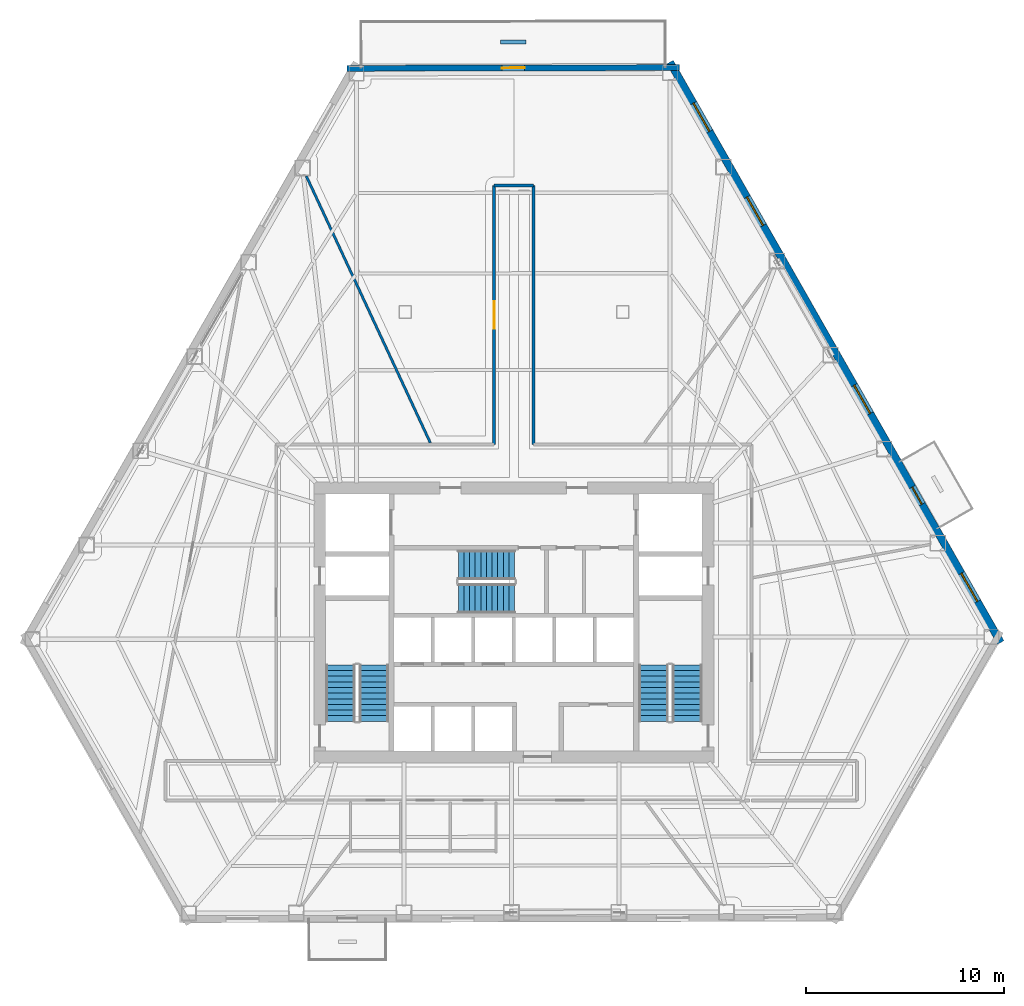
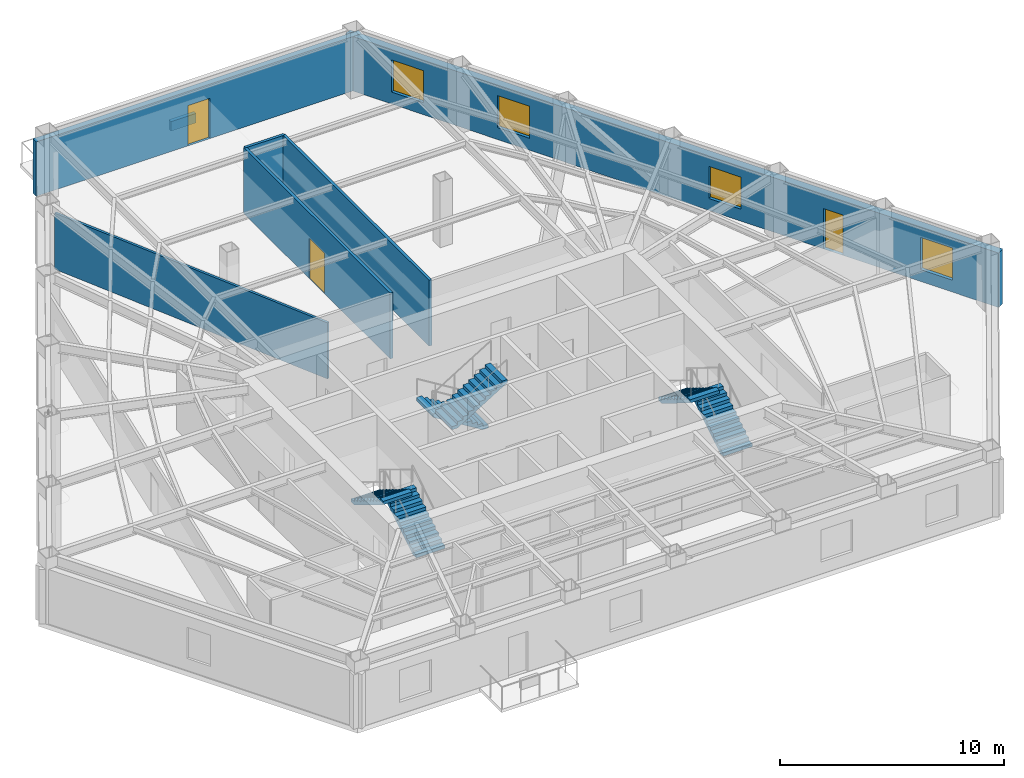
# One storey, part 10 of 14: 7 walls, 6 stair flights, 4 windows, 3 doors, 7 openings, 3 elements without a shape of their own.
"""IFC4 building model written with IfcOpenShell, lengths in metres."""

from ifc_helpers import new_model, si_unit, direction, frame, frame_2d, origin, place, context, subcontext, project, spatial, polyline, rectangle, outline, extrude, material, layer, layer_set, type_object, element, fill, aggregate, save


model = new_model("IFC4")

# Units and contexts
model_context = context("Model", 3, precision=1e-05, world=origin(), true_north=direction((0.0, 1.0)))
body_context = subcontext(model_context, "Body", "Model", "MODEL_VIEW")
ifc_project = project(units=[si_unit("LENGTHUNIT", "METRE"), si_unit("AREAUNIT", "SQUARE_METRE"), si_unit("VOLUMEUNIT", "CUBIC_METRE"), si_unit("PLANEANGLEUNIT", "RADIAN"), si_unit("MASSUNIT", "GRAM", prefix="KILO")], contexts=[model_context])

# Site, building, storey
site_placement = place(None, origin())
site = spatial("IfcSite", under=ifc_project, at=site_placement, CompositionType="ELEMENT")
building_placement = place(site_placement, origin())
building = spatial("IfcBuilding", under=site, at=building_placement, Name="Kavelnor Concourse Tower", CompositionType="ELEMENT")
storey_placement = place(building_placement, frame((0.0, 0.0, 17.550048828125)))
storey = spatial("IfcBuildingStorey", under=building, at=storey_placement, Name="L04", CompositionType="ELEMENT", Elevation=17.550048828125)

# Wall, opening, door
ifc_material_1 = material(Name="Buff ironspot clay face brick masonry", Category="masonry")
ifc_layer_1 = layer(ifc_material_1, 0.300048828125, Name="Buff ironspot clay face brick masonry")
ifc_layer_set_1 = layer_set([ifc_layer_1], Name="Buff ironspot clay face brick masonry")
wall_type_1 = type_object("IfcWallType", Name="WL-EXT-BUFF-BRICK-FOLD-300", PredefinedType="STANDARD", material=ifc_layer_set_1)
wall_1_placement = place(storey_placement, frame((29.563720703125, 44.12451171875, 0.0), z_axis=(0.0, 0.0, 1.0), x_axis=(0.999997659038, 0.002163774142, 0.0)))
wall_1 = element("IfcWall", 1, at=wall_1_placement, inside=storey, type_object=wall_type_1, Name="L04 Exterior Brick Facade Wall E0", PredefinedType="STANDARD", context=body_context, shape_type="SweptSolid", body=[
    extrude(rectangle(XDim=16.811767578125, YDim=0.300048828125, at=frame_2d((8.40576171875, 0.0))), origin(), (0.0, 0.0, 1.0), 2.969970703125),
])
opening_1_placement = place(wall_1_placement, frame((7.830810546875, 0.0, 0.0)))
opening_1 = element("IfcOpeningElement", 2, at=opening_1_placement, cuts=wall_1, Name="Opening TD-115", PredefinedType="OPENING", context=body_context, shape_type="SweptSolid", body=[
    extrude(rectangle(XDim=1.14990234375, YDim=2.199951171875, at=frame_2d((0.574951171875, 1.10009765625))), frame((0.0, 0.16015625, 0.0), z_axis=(0.0, -1.0, 0.0), x_axis=(1.0, 0.0, 0.0)), (0.0, 0.0, 1.0), 0.320068359375),
])
ifc_material_2 = material(Name="Anodised aluminium 6063-T6", Category="aluminium")
door_type_1 = type_object("IfcDoorType", Name="DR-TERRACE-EXT-1150", OperationType="NOTDEFINED", PredefinedType="DOOR", material=ifc_material_2)
door_1_placement = place(opening_1_placement, origin())
door_1 = element("IfcDoor", 3, at=door_1_placement, inside=storey, type_object=door_type_1, Name="L04 Spiral Sky Terrace Access Door", OperationType="SINGLE_SWING_LEFT", OverallHeight=2.199951171875, OverallWidth=1.14990234375, PredefinedType="DOOR", context=body_context, shape_type="SweptSolid", body=[
    extrude(rectangle(XDim=1.14990234375, YDim=2.199951171875, at=frame_2d((0.574951171875, 1.10009765625))), frame((0.0, 0.02490234375, 0.0), z_axis=(0.0, -1.0, 0.0), x_axis=(1.0, 0.0, 0.0)), (0.0, 0.0, 1.0), 0.050048828125),
])
fill(opening_1, door_1)

# Wall, openings, door, windows
ifc_material_3 = material(Name="Red-ochre clay face brick masonry", Category="masonry")
ifc_layer_2 = layer(ifc_material_3, 0.3798828125, Name="Red-ochre clay face brick masonry")
ifc_layer_set_2 = layer_set([ifc_layer_2], Name="Red-ochre clay face brick masonry")
wall_type_2 = type_object("IfcWallType", Name="WL-EXT-RED-BRICK-PIER-380", PredefinedType="STANDARD", material=ifc_layer_set_2)
wall_2_placement = place(storey_placement, frame((45.8935546875, 44.440185546875, 0.0), z_axis=(0.0, 0.0, 1.0), x_axis=(0.495144258579, -0.868810775253, 0.0)))
wall_2 = element("IfcWall", 4, at=wall_2_placement, inside=storey, type_object=wall_type_2, Name="L04 Exterior Brick Facade Wall E5", PredefinedType="STANDARD", context=body_context, shape_type="SweptSolid", body=[
    extrude(rectangle(XDim=33.7919921875, YDim=0.3798828125, at=frame_2d((16.89599609375, 0.0))), origin(), (0.0, 0.0, 1.0), 2.969970703125),
])
opening_2_placement = place(wall_2_placement, frame((24.744140625, 0.0, 0.0)))
opening_2 = element("IfcOpeningElement", 5, at=opening_2_placement, cuts=wall_2, Name="Opening BD-100", PredefinedType="OPENING", context=body_context, shape_type="SweptSolid", body=[
    extrude(rectangle(XDim=1.0, YDim=2.199951171875, at=frame_2d((0.5, 1.10009765625))), frame((0.0, 0.199951171875, 0.0), z_axis=(0.0, -1.0, 0.0), x_axis=(1.0, 0.0, 0.0)), (0.0, 0.0, 1.0), 0.39990234375),
])
opening_3_placement = place(wall_2_placement, frame((29.75634765625, 0.0, 0.64990234375)))
opening_3 = element("IfcOpeningElement", 6, at=opening_3_placement, cuts=wall_2, Name="Opening W-01", PredefinedType="OPENING", context=body_context, shape_type="SweptSolid", body=[
    extrude(rectangle(XDim=1.64990234375, YDim=1.75, at=frame_2d((0.824951171875, 0.875))), frame((0.0, 0.199951171875, 0.0), z_axis=(0.0, -1.0, 0.0), x_axis=(1.0, 0.0, 0.0)), (0.0, 0.0, 1.0), 0.39990234375),
])
opening_4_placement = place(wall_2_placement, frame((18.810302734375, 0.0, 0.64990234375)))
opening_4 = element("IfcOpeningElement", 7, at=opening_4_placement, cuts=wall_2, Name="Opening W-01", PredefinedType="OPENING", context=body_context, shape_type="SweptSolid", body=[
    extrude(rectangle(XDim=1.64990234375, YDim=1.75, at=frame_2d((0.824951171875, 0.875))), frame((0.0, 0.199951171875, 0.0), z_axis=(0.0, -1.0, 0.0), x_axis=(1.0, 0.0, 0.0)), (0.0, 0.0, 1.0), 0.39990234375),
])
opening_5_placement = place(wall_2_placement, frame((7.8642578125, 0.0, 0.64990234375)))
opening_5 = element("IfcOpeningElement", 8, at=opening_5_placement, cuts=wall_2, Name="Opening W-01", PredefinedType="OPENING", context=body_context, shape_type="SweptSolid", body=[
    extrude(rectangle(XDim=1.64990234375, YDim=1.75, at=frame_2d((0.824951171875, 0.875))), frame((0.0, 0.199951171875, 0.0), z_axis=(0.0, -1.0, 0.0), x_axis=(1.0, 0.0, 0.0)), (0.0, 0.0, 1.0), 0.39990234375),
])
opening_6_placement = place(wall_2_placement, frame((2.39111328125, 0.0, 0.64990234375)))
opening_6 = element("IfcOpeningElement", 9, at=opening_6_placement, cuts=wall_2, Name="Opening W-01", PredefinedType="OPENING", context=body_context, shape_type="SweptSolid", body=[
    extrude(rectangle(XDim=1.64990234375, YDim=1.75, at=frame_2d((0.824951171875, 0.875))), frame((0.0, 0.199951171875, 0.0), z_axis=(0.0, -1.0, 0.0), x_axis=(1.0, 0.0, 0.0)), (0.0, 0.0, 1.0), 0.39990234375),
])
door_type_2 = type_object("IfcDoorType", Name="DR-BALCONY-EXT-1000", OperationType="NOTDEFINED", PredefinedType="DOOR", material=ifc_material_2)
door_2_placement = place(opening_2_placement, origin())
door_2 = element("IfcDoor", 10, at=door_2_placement, inside=storey, type_object=door_type_2, Name="L04 Tree Balcony 2 Glazed Door", OperationType="SINGLE_SWING_RIGHT", OverallHeight=2.199951171875, OverallWidth=1.0, PredefinedType="DOOR", context=body_context, shape_type="SweptSolid", body=[
    extrude(rectangle(XDim=1.0, YDim=2.199951171875, at=frame_2d((0.5, 1.10009765625))), frame((0.0, 0.02490234375, 0.0), z_axis=(0.0, -1.0, 0.0), x_axis=(1.0, 0.0, 0.0)), (0.0, 0.0, 1.0), 0.050048828125),
])
fill(opening_2, door_2)
ifc_material_4 = material(Name="Double low-E argon insulated glazing", Category="glass")
window_type = type_object("IfcWindowType", Name="WIN-PIER-Z1-1800", PartitioningType="SINGLE_PANEL", PredefinedType="WINDOW", material=ifc_material_4)
window_1_placement = place(opening_3_placement, origin())
window_1 = element("IfcWindow", 11, at=window_1_placement, inside=storey, type_object=window_type, Name="L04 Deep-Set Brick Pier Window F2-B0", OverallHeight=1.75, OverallWidth=1.64990234375, PartitioningType="SINGLE_PANEL", PredefinedType="WINDOW", context=body_context, shape_type="SweptSolid", body=[
    extrude(rectangle(XDim=1.64990234375, YDim=1.75, at=frame_2d((0.824951171875, 0.875))), frame((0.0, 0.030029296875, 0.0), z_axis=(0.0, -1.0, 0.0), x_axis=(1.0, 0.0, 0.0)), (0.0, 0.0, 1.0), 0.06005859375),
])
fill(opening_3, window_1)
window_2_placement = place(opening_4_placement, origin())
window_2 = element("IfcWindow", 12, at=window_2_placement, inside=storey, type_object=window_type, Name="L04 Deep-Set Brick Pier Window F2-B2", OverallHeight=1.75, OverallWidth=1.64990234375, PartitioningType="SINGLE_PANEL", PredefinedType="WINDOW", context=body_context, shape_type="SweptSolid", body=[
    extrude(rectangle(XDim=1.64990234375, YDim=1.75, at=frame_2d((0.824951171875, 0.875))), frame((0.0, 0.030029296875, 0.0), z_axis=(0.0, -1.0, 0.0), x_axis=(1.0, 0.0, 0.0)), (0.0, 0.0, 1.0), 0.06005859375),
])
fill(opening_4, window_2)
window_3_placement = place(opening_5_placement, origin())
window_3 = element("IfcWindow", 13, at=window_3_placement, inside=storey, type_object=window_type, Name="L04 Deep-Set Brick Pier Window F2-B4", OverallHeight=1.75, OverallWidth=1.64990234375, PartitioningType="SINGLE_PANEL", PredefinedType="WINDOW", context=body_context, shape_type="SweptSolid", body=[
    extrude(rectangle(XDim=1.64990234375, YDim=1.75, at=frame_2d((0.824951171875, 0.875))), frame((0.0, 0.030029296875, 0.0), z_axis=(0.0, -1.0, 0.0), x_axis=(1.0, 0.0, 0.0)), (0.0, 0.0, 1.0), 0.06005859375),
])
fill(opening_5, window_3)
window_4_placement = place(opening_6_placement, origin())
window_4 = element("IfcWindow", 14, at=window_4_placement, inside=storey, type_object=window_type, Name="L04 Deep-Set Brick Pier Window F2-B5", OverallHeight=1.75, OverallWidth=1.64990234375, PartitioningType="SINGLE_PANEL", PredefinedType="WINDOW", context=body_context, shape_type="SweptSolid", body=[
    extrude(rectangle(XDim=1.64990234375, YDim=1.75, at=frame_2d((0.824951171875, 0.875))), frame((0.0, 0.030029296875, 0.0), z_axis=(0.0, -1.0, 0.0), x_axis=(1.0, 0.0, 0.0)), (0.0, 0.0, 1.0), 0.06005859375),
])
fill(opening_6, window_4)

# Wall, opening, door
ifc_material_5 = material(Name="Gypsum plasterboard on light-gauge steel studs", Category="steel")
ifc_layer_3 = layer(ifc_material_5, 0.14501953125, Name="Gypsum plasterboard on light-gauge steel studs")
ifc_layer_set_3 = layer_set([ifc_layer_3], Name="Gypsum plasterboard on light-gauge steel studs")
wall_type_3 = type_object("IfcWallType", Name="WL-INT-CORR-145", PredefinedType="PARTITIONING", material=ifc_layer_set_3)
wall_3_placement = place(storey_placement, frame((37.0, 25.10009765625, 0.0), z_axis=(0.0, 0.0, 1.0), x_axis=(0.0, 1.0, 0.0)))
wall_3 = element("IfcWall", 15, at=wall_3_placement, inside=storey, type_object=wall_type_3, Name="L04 Corridor Wall WL-L04-CR-04", PredefinedType="PARTITIONING", context=body_context, shape_type="SweptSolid", body=[
    extrude(rectangle(XDim=13.099853515625, YDim=0.14501953125, at=frame_2d((6.5498046875, 0.0))), origin(), (0.0, 0.0, 1.0), 3.58984375),
])
opening_7_placement = place(wall_3_placement, frame((5.85009765625, 0.0, 0.0)))
opening_7 = element("IfcOpeningElement", 16, at=opening_7_placement, cuts=wall_3, Name="Opening SD-140", PredefinedType="OPENING", context=body_context, shape_type="SweptSolid", body=[
    extrude(rectangle(XDim=1.39990234375, YDim=2.199951171875, at=frame_2d((0.699951171875, 1.10009765625))), frame((0.0, 0.08251953125, 0.0), z_axis=(0.0, -1.0, 0.0), x_axis=(1.0, 0.0, 0.0)), (0.0, 0.0, 1.0), 0.1650390625),
])
ifc_material_6 = material(Name="Solid-core hardwood timber", Category="wood")
door_type_3 = type_object("IfcDoorType", Name="DR-SUITE-ENTRY-1400", OperationType="NOTDEFINED", PredefinedType="DOOR", material=ifc_material_6)
door_3_placement = place(opening_7_placement, origin())
door_3 = element("IfcDoor", 17, at=door_3_placement, inside=storey, type_object=door_type_3, Name="L04 Staff Breakout Pantry 02 Door", OperationType="SINGLE_SWING_LEFT", OverallHeight=2.199951171875, OverallWidth=1.39990234375, PredefinedType="DOOR", context=body_context, shape_type="SweptSolid", body=[
    extrude(rectangle(XDim=1.39990234375, YDim=2.199951171875, at=frame_2d((0.699951171875, 1.10009765625))), frame((0.0, 0.02490234375, 0.0), z_axis=(0.0, -1.0, 0.0), x_axis=(1.0, 0.0, 0.0)), (0.0, 0.0, 1.0), 0.050048828125),
])
fill(opening_7, door_3)

# Walls
wall_4_placement = place(storey_placement, frame((37.0, 38.199951171875, 0.0), z_axis=(0.0, 0.0, 1.0), x_axis=(1.0, 0.0, 0.0)))
element("IfcWall", 18, at=wall_4_placement, inside=storey, type_object=wall_type_3, Name="L04 Corridor Wall WL-L04-CR-05", PredefinedType="PARTITIONING", context=body_context, shape_type="SweptSolid", body=[
    extrude(rectangle(XDim=2.0, YDim=0.14501953125, at=frame_2d((1.0, 0.0))), origin(), (0.0, 0.0, 1.0), 3.58984375),
])
wall_5_placement = place(storey_placement, frame((39.0, 38.199951171875, 0.0), z_axis=(0.0, 0.0, 1.0), x_axis=(0.0, -1.0, 0.0)))
element("IfcWall", 19, at=wall_5_placement, inside=storey, type_object=wall_type_3, Name="L04 Corridor Wall WL-L04-CR-06", PredefinedType="PARTITIONING", context=body_context, shape_type="SweptSolid", body=[
    extrude(rectangle(XDim=13.099853515625, YDim=0.14501953125, at=frame_2d((6.5498046875, 0.0))), origin(), (0.0, 0.0, 1.0), 3.58984375),
])
ifc_layer_4 = layer(ifc_material_5, 0.125, Name="Gypsum plasterboard on light-gauge steel studs")
ifc_layer_set_4 = layer_set([ifc_layer_4], Name="Gypsum plasterboard on light-gauge steel studs")
wall_type_4 = type_object("IfcWallType", Name="WL-INT-SUITE-125", PredefinedType="PARTITIONING", material=ifc_layer_set_4)
wall_6_placement = place(storey_placement, frame((33.777587890625, 25.180419921875, 0.0), z_axis=(0.0, 0.0, 1.0), x_axis=(-0.421621006058, 0.906772147373, 0.0)))
element("IfcWall", 20, at=wall_6_placement, inside=storey, type_object=wall_type_4, Name="L04 Radial Suite Partition 03", PredefinedType="PARTITIONING", context=body_context, shape_type="SweptSolid", body=[
    extrude(rectangle(XDim=14.887451171875, YDim=0.125, at=frame_2d((7.44384765625, 0.0))), origin(), (0.0, 0.0, 1.0), 3.056884765625),
])
ifc_material_7 = material(Name="Architectural precast planter concrete C40/50", Category="concrete")
ifc_layer_5 = layer(ifc_material_7, 0.18994140625, Name="Architectural precast planter concrete C40/50")
ifc_layer_set_5 = layer_set([ifc_layer_5], Name="Architectural precast planter concrete C40/50")
wall_type_5 = type_object("IfcWallType", Name="WL-PLANTER-KERB-190", PredefinedType="USERDEFINED", material=ifc_layer_set_5)
wall_7_placement = place(storey_placement, frame((38.61669921875, 45.4541015625, 0.0), z_axis=(0.0, 0.0, 1.0), x_axis=(-0.999997460831, -0.002253515405, 0.0)))
element("IfcWall", 21, at=wall_7_placement, inside=storey, type_object=wall_type_5, Name="L04 Spiral Terrace Landscaped Planter Kerb", ObjectType="PLANTER", PredefinedType="USERDEFINED", context=body_context, shape_type="SweptSolid", body=[
    extrude(rectangle(XDim=1.300048828125, YDim=0.18994140625, at=frame_2d((0.64990234375, 0.0))), origin(), (0.0, 0.0, 1.0), 0.52001953125),
])

# Stair, stair flights
ifc_material_8 = material(Name="Concrete C40/50", Category="concrete")
stair_type = type_object("IfcStairType", Name="STR-CORE-1500", PredefinedType="HALF_TURN_STAIR", material=ifc_material_8)
stair_1_placement = place(storey_placement, origin())
stair_1 = element("IfcStair", 22, at=stair_1_placement, inside=storey, type_object=stair_type, Name="L04 ST1", PredefinedType="HALF_TURN_STAIR")
stair_flight_type = type_object("IfcStairFlightType", Name="STR-FLIGHT-1500", PredefinedType="STRAIGHT", material=ifc_material_8)
stair_flight_1_placement = place(storey_placement, frame((30.929931640625, 11.10009765625, 0.0), z_axis=(0.0, 0.0, 1.0), x_axis=(0.0, 1.0, 0.0)))
stair_flight_1 = element("IfcStairFlight", 23, at=stair_flight_1_placement, type_object=stair_flight_type, Name="ST1 flight 1", NumberOfRisers=11, NumberOfTreads=10, PredefinedType="STRAIGHT", RiserHeight=0.175, TreadLength=0.285, context=body_context, shape_type="SweptSolid", body=[
    extrude(outline(polyline([(0.0, 0.0), (0.0, 0.175048828125), (0.284912109375, 0.175048828125), (0.284912109375, 0.35009765625), (0.570068359375, 0.35009765625), (0.570068359375, 0.52490234375), (0.85498046875, 0.52490234375), (0.85498046875, 0.699951171875), (1.139892578125, 0.699951171875), (1.139892578125, 0.875), (1.425048828125, 0.875), (1.425048828125, 1.050048828125), (1.7099609375, 1.050048828125), (1.7099609375, 1.22509765625), (1.9951171875, 1.22509765625), (1.9951171875, 1.39990234375), (2.280029296875, 1.39990234375), (2.280029296875, 1.574951171875), (2.56494140625, 1.574951171875), (2.56494140625, 1.75), (2.85009765625, 1.75), (2.85009765625, 1.925048828125), (2.85009765625, 1.573974609375), (0.286376953125, 0.0), (0.0, 0.0)])), frame((0.0, 0.75, 0.0), z_axis=(0.0, -1.0, 0.0), x_axis=(1.0, 0.0, 0.0)), (0.0, 0.0, 1.0), 1.5),
])
stair_flight_2_placement = place(storey_placement, frame((29.22998046875, 13.949951171875, 1.925048828125), z_axis=(0.0, 0.0, 1.0), x_axis=(0.0, -1.0, 0.0)))
stair_flight_2 = element("IfcStairFlight", 24, at=stair_flight_2_placement, type_object=stair_flight_type, Name="ST1 flight 2", NumberOfRisers=11, NumberOfTreads=10, PredefinedType="STRAIGHT", RiserHeight=0.175, TreadLength=0.285, context=body_context, shape_type="SweptSolid", body=[
    extrude(outline(polyline([(0.0, 0.0), (0.0, 0.175048828125), (0.284912109375, 0.175048828125), (0.284912109375, 0.35009765625), (0.570068359375, 0.35009765625), (0.570068359375, 0.52490234375), (0.85498046875, 0.52490234375), (0.85498046875, 0.699951171875), (1.139892578125, 0.699951171875), (1.139892578125, 0.875), (1.425048828125, 0.875), (1.425048828125, 1.050048828125), (1.7099609375, 1.050048828125), (1.7099609375, 1.22509765625), (1.9951171875, 1.22509765625), (1.9951171875, 1.39990234375), (2.280029296875, 1.39990234375), (2.280029296875, 1.574951171875), (2.56494140625, 1.574951171875), (2.56494140625, 1.75), (2.85009765625, 1.75), (2.85009765625, 1.925048828125), (2.85009765625, 1.573974609375), (0.286376953125, 0.0), (0.0, 0.0)])), frame((0.0, 0.75, 0.0), z_axis=(0.0, -1.0, 0.0), x_axis=(1.0, 0.0, 0.0)), (0.0, 0.0, 1.0), 1.5),
])
aggregate(stair_1, [stair_flight_1, stair_flight_2])

stair_2_placement = place(storey_placement, origin())
stair_2 = element("IfcStair", 25, at=stair_2_placement, inside=storey, type_object=stair_type, Name="L04 ST2", PredefinedType="HALF_TURN_STAIR")
stair_flight_3_placement = place(storey_placement, frame((46.77001953125, 11.10009765625, 0.0), z_axis=(0.0, 0.0, 1.0), x_axis=(0.0, 1.0, 0.0)))
stair_flight_3 = element("IfcStairFlight", 26, at=stair_flight_3_placement, type_object=stair_flight_type, Name="ST2 flight 1", NumberOfRisers=11, NumberOfTreads=10, PredefinedType="STRAIGHT", RiserHeight=0.175, TreadLength=0.285, context=body_context, shape_type="SweptSolid", body=[
    extrude(outline(polyline([(0.0, 0.0), (0.0, 0.175048828125), (0.284912109375, 0.175048828125), (0.284912109375, 0.35009765625), (0.570068359375, 0.35009765625), (0.570068359375, 0.52490234375), (0.85498046875, 0.52490234375), (0.85498046875, 0.699951171875), (1.139892578125, 0.699951171875), (1.139892578125, 0.875), (1.425048828125, 0.875), (1.425048828125, 1.050048828125), (1.7099609375, 1.050048828125), (1.7099609375, 1.22509765625), (1.9951171875, 1.22509765625), (1.9951171875, 1.39990234375), (2.280029296875, 1.39990234375), (2.280029296875, 1.574951171875), (2.56494140625, 1.574951171875), (2.56494140625, 1.75), (2.85009765625, 1.75), (2.85009765625, 1.925048828125), (2.85009765625, 1.573974609375), (0.286376953125, 0.0), (0.0, 0.0)])), frame((0.0, 0.75, 0.0), z_axis=(0.0, -1.0, 0.0), x_axis=(1.0, 0.0, 0.0)), (0.0, 0.0, 1.0), 1.5),
])
stair_flight_4_placement = place(storey_placement, frame((45.070068359375, 13.949951171875, 1.925048828125), z_axis=(0.0, 0.0, 1.0), x_axis=(0.0, -1.0, 0.0)))
stair_flight_4 = element("IfcStairFlight", 27, at=stair_flight_4_placement, type_object=stair_flight_type, Name="ST2 flight 2", NumberOfRisers=11, NumberOfTreads=10, PredefinedType="STRAIGHT", RiserHeight=0.175, TreadLength=0.285, context=body_context, shape_type="SweptSolid", body=[
    extrude(outline(polyline([(0.0, 0.0), (0.0, 0.175048828125), (0.284912109375, 0.175048828125), (0.284912109375, 0.35009765625), (0.570068359375, 0.35009765625), (0.570068359375, 0.52490234375), (0.85498046875, 0.52490234375), (0.85498046875, 0.699951171875), (1.139892578125, 0.699951171875), (1.139892578125, 0.875), (1.425048828125, 0.875), (1.425048828125, 1.050048828125), (1.7099609375, 1.050048828125), (1.7099609375, 1.22509765625), (1.9951171875, 1.22509765625), (1.9951171875, 1.39990234375), (2.280029296875, 1.39990234375), (2.280029296875, 1.574951171875), (2.56494140625, 1.574951171875), (2.56494140625, 1.75), (2.85009765625, 1.75), (2.85009765625, 1.925048828125), (2.85009765625, 1.573974609375), (0.286376953125, 0.0), (0.0, 0.0)])), frame((0.0, 0.75, 0.0), z_axis=(0.0, -1.0, 0.0), x_axis=(1.0, 0.0, 0.0)), (0.0, 0.0, 1.0), 1.5),
])
aggregate(stair_2, [stair_flight_3, stair_flight_4])

stair_3_placement = place(storey_placement, origin())
stair_3 = element("IfcStair", 28, at=stair_3_placement, inside=storey, type_object=stair_type, Name="L04 ST3", PredefinedType="HALF_TURN_STAIR")
stair_flight_5_placement = place(storey_placement, frame((38.0400390625, 19.010009765625, 0.0), z_axis=(0.0, 0.0, 1.0), x_axis=(-1.0, 0.0, 0.0)))
stair_flight_5 = element("IfcStairFlight", 29, at=stair_flight_5_placement, type_object=stair_flight_type, Name="ST3 flight 1", NumberOfRisers=11, NumberOfTreads=10, PredefinedType="STRAIGHT", RiserHeight=0.175, TreadLength=0.285, context=body_context, shape_type="SweptSolid", body=[
    extrude(outline(polyline([(0.0, 0.0), (0.0, 0.175048828125), (0.284912109375, 0.175048828125), (0.284912109375, 0.35009765625), (0.570068359375, 0.35009765625), (0.570068359375, 0.52490234375), (0.85498046875, 0.52490234375), (0.85498046875, 0.699951171875), (1.139892578125, 0.699951171875), (1.139892578125, 0.875), (1.425048828125, 0.875), (1.425048828125, 1.050048828125), (1.7099609375, 1.050048828125), (1.7099609375, 1.22509765625), (1.9951171875, 1.22509765625), (1.9951171875, 1.39990234375), (2.280029296875, 1.39990234375), (2.280029296875, 1.574951171875), (2.56494140625, 1.574951171875), (2.56494140625, 1.75), (2.85009765625, 1.75), (2.85009765625, 1.925048828125), (2.85009765625, 1.573974609375), (0.286376953125, 0.0), (0.0, 0.0)])), frame((0.0, 0.75, 0.0), z_axis=(0.0, -1.0, 0.0), x_axis=(1.0, 0.0, 0.0)), (0.0, 0.0, 1.0), 1.5),
])
stair_flight_6_placement = place(storey_placement, frame((35.18994140625, 17.31005859375, 1.925048828125), z_axis=(0.0, 0.0, 1.0), x_axis=(1.0, 0.0, 0.0)))
stair_flight_6 = element("IfcStairFlight", 30, at=stair_flight_6_placement, type_object=stair_flight_type, Name="ST3 flight 2", NumberOfRisers=11, NumberOfTreads=10, PredefinedType="STRAIGHT", RiserHeight=0.175, TreadLength=0.285, context=body_context, shape_type="SweptSolid", body=[
    extrude(outline(polyline([(0.0, 0.0), (0.0, 0.175048828125), (0.284912109375, 0.175048828125), (0.284912109375, 0.35009765625), (0.570068359375, 0.35009765625), (0.570068359375, 0.52490234375), (0.85498046875, 0.52490234375), (0.85498046875, 0.699951171875), (1.139892578125, 0.699951171875), (1.139892578125, 0.875), (1.425048828125, 0.875), (1.425048828125, 1.050048828125), (1.7099609375, 1.050048828125), (1.7099609375, 1.22509765625), (1.9951171875, 1.22509765625), (1.9951171875, 1.39990234375), (2.280029296875, 1.39990234375), (2.280029296875, 1.574951171875), (2.56494140625, 1.574951171875), (2.56494140625, 1.75), (2.85009765625, 1.75), (2.85009765625, 1.925048828125), (2.85009765625, 1.573974609375), (0.286376953125, 0.0), (0.0, 0.0)])), frame((0.0, 0.75, 0.0), z_axis=(0.0, -1.0, 0.0), x_axis=(1.0, 0.0, 0.0)), (0.0, 0.0, 1.0), 1.5),
])
aggregate(stair_3, [stair_flight_5, stair_flight_6])

save(model, "model.ifc")
